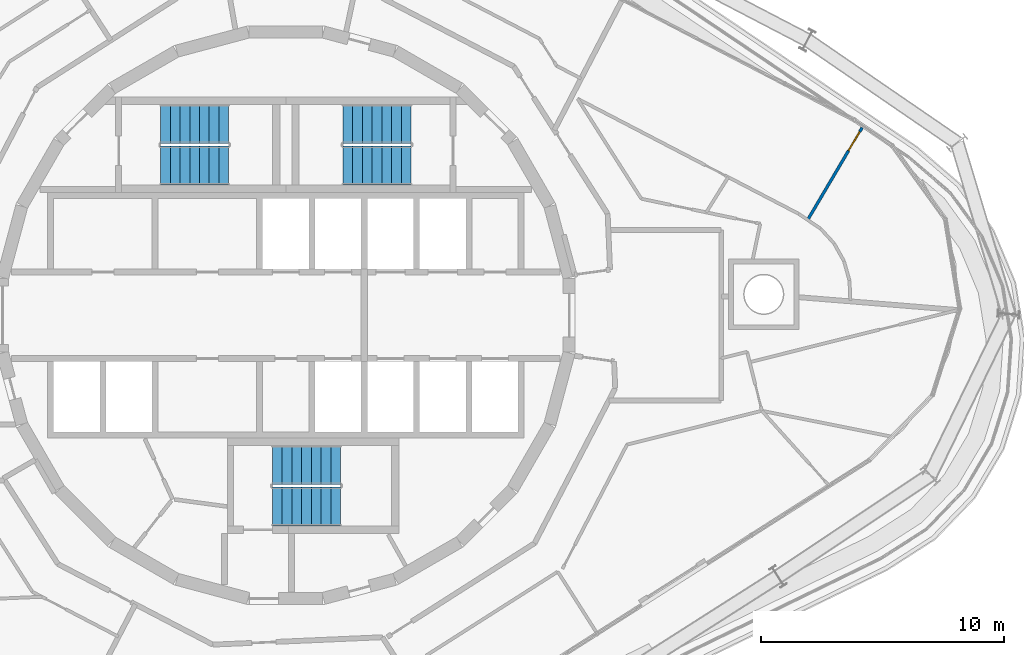
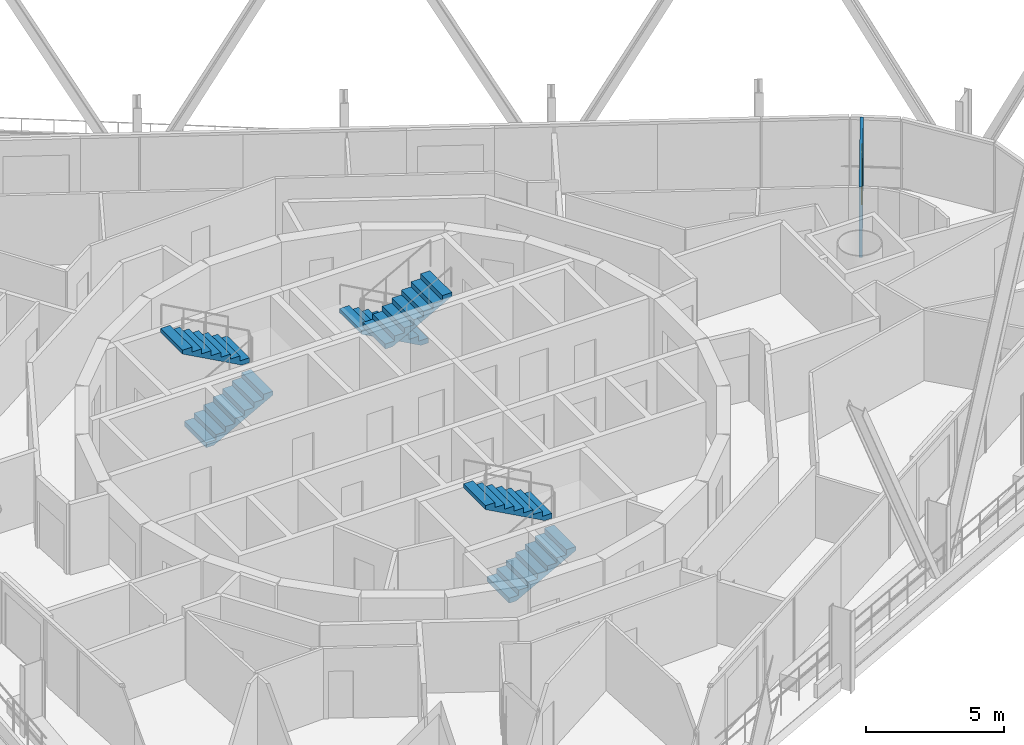
# One storey, part 17 of 20: 6 stair flights, 1 door, 1 wall, 1 opening, 3 elements without a shape of their own.
"""IFC4 building model written with IfcOpenShell, lengths in metres."""

from ifc_helpers import new_model, si_unit, direction, frame, frame_2d, origin, place, context, subcontext, project, spatial, polyline, rectangle, outline, extrude, material, layer, layer_set, type_object, element, fill, aggregate, save


model = new_model("IFC4")

# Units and contexts
model_context = context("Model", 3, precision=1e-05, world=origin(), true_north=direction((0.0, 1.0)))
body_context = subcontext(model_context, "Body", "Model", "MODEL_VIEW")
ifc_project = project(units=[si_unit("LENGTHUNIT", "METRE"), si_unit("AREAUNIT", "SQUARE_METRE"), si_unit("VOLUMEUNIT", "CUBIC_METRE"), si_unit("PLANEANGLEUNIT", "RADIAN"), si_unit("MASSUNIT", "GRAM", prefix="KILO")], contexts=[model_context])

# Site, building, storey
site_placement = place(None, origin())
site = spatial("IfcSite", under=ifc_project, at=site_placement, CompositionType="ELEMENT")
building_placement = place(site_placement, origin())
building = spatial("IfcBuilding", under=site, at=building_placement, Name="Spindle Arch Residences", CompositionType="ELEMENT")
storey_placement = place(building_placement, frame((0.0, 0.0, 226.699951171875)))
storey = spatial("IfcBuildingStorey", under=building, at=storey_placement, Name="L57", CompositionType="ELEMENT", Elevation=226.699951171875)

# Wall, opening, door
ifc_material_1 = material(Name="Plasterboard on steel studs", Category="steel")
ifc_layer = layer(ifc_material_1, 0.1201171875)
ifc_layer_set = layer_set([ifc_layer], Name="Flat partition 120")
wall_type = type_object("IfcWallType", Name="Flat partition 120", PredefinedType="PARTITIONING", material=ifc_layer_set)
wall_placement = place(storey_placement, frame((23.6962890625, 7.715087890625, 0.0), z_axis=(0.0, 0.0, 1.0), x_axis=(-0.508219920645, -0.861227329025, 0.0)))
wall = element("IfcWall", 1, at=wall_placement, inside=storey, type_object=wall_type, Name="Flat partition R6A0-W049", PredefinedType="PARTITIONING", context=body_context, shape_type="SweptSolid", body=[
    extrude(rectangle(XDim=4.408935546875, YDim=0.1201171875, at=frame_2d((2.20458984375, 0.0))), origin(), (0.0, 0.0, 1.0), 3.1201171875),
])
opening_placement = place(wall_placement, frame((0.199951171875, 0.0, 0.0)))
opening = element("IfcOpeningElement", 2, at=opening_placement, cuts=wall, Name="Opening R6A0-ID03", PredefinedType="OPENING", context=body_context, shape_type="SweptSolid", body=[
    extrude(rectangle(XDim=0.89990234375, YDim=2.10009765625, at=frame_2d((0.449951171875, 1.050048828125))), frame((0.0, 0.070068359375, 0.0), z_axis=(0.0, -1.0, 0.0), x_axis=(1.0, 0.0, 0.0)), (0.0, 0.0, 1.0), 0.14013671875),
])
ifc_material_2 = material(Name="Timber door set", Category="wood")
door_type = type_object("IfcDoorType", Name="Room door 900x2100", OperationType="NOTDEFINED", PredefinedType="DOOR", material=ifc_material_2)
door_placement = place(opening_placement, origin())
door = element("IfcDoor", 3, at=door_placement, inside=storey, type_object=door_type, Name="Room door R6A0-ID03", OperationType="SINGLE_SWING_LEFT", OverallHeight=2.10009765625, OverallWidth=0.89990234375, PredefinedType="DOOR", context=body_context, shape_type="SweptSolid", body=[
    extrude(rectangle(XDim=0.89990234375, YDim=2.10009765625, at=frame_2d((0.449951171875, 1.050048828125))), frame((0.0, 0.02490234375, 0.0), z_axis=(0.0, -1.0, 0.0), x_axis=(1.0, 0.0, 0.0)), (0.0, 0.0, 1.0), 0.050048828125),
])
fill(opening, door)

# Stair, stair flights
ifc_material_3 = material(Name="Concrete C50/60", Category="concrete")
stair_type = type_object("IfcStairType", Name="Exit stair 16 risers", PredefinedType="HALF_TURN_STAIR", material=ifc_material_3)
stair_1_placement = place(storey_placement, origin())
stair_1 = element("IfcStair", 4, at=stair_1_placement, inside=storey, type_object=stair_type, Name="L57 Exit stair ST1", PredefinedType="HALF_TURN_STAIR")
ifc_material_4 = material(Name="Concrete C50/60", Category="concrete")
stair_flight_type = type_object("IfcStairFlightType", Name="Exit stair flight", PredefinedType="STRAIGHT", material=ifc_material_4)
stair_flight_1_placement = place(storey_placement, frame((5.14990234375, 7.8701171875, 0.0), z_axis=(0.0, 0.0, 1.0), x_axis=(-1.0, 0.0, 0.0)))
stair_flight_1 = element("IfcStairFlight", 5, at=stair_flight_1_placement, type_object=stair_flight_type, Name="ST1 flight 1", NumberOfRisers=8, NumberOfTreads=7, PredefinedType="STRAIGHT", RiserHeight=0.21875, TreadLength=0.4, context=body_context, shape_type="SweptSolid", body=[
    extrude(outline(polyline([(0.0, 0.0), (0.0, 0.21875), (0.39990234375, 0.21875), (0.39990234375, 0.4375), (0.800048828125, 0.4375), (0.800048828125, 0.65625), (1.199951171875, 0.65625), (1.199951171875, 0.875), (1.60009765625, 0.875), (1.60009765625, 1.09375), (2.0, 1.09375), (2.0, 1.3125), (2.39990234375, 1.3125), (2.39990234375, 1.53125), (2.800048828125, 1.53125), (2.800048828125, 1.75), (2.800048828125, 1.3603515625), (0.3125, 0.0), (0.0, 0.0)])), frame((0.0, 0.800048828125, 0.0), z_axis=(0.0, -1.0, 0.0), x_axis=(1.0, 0.0, 0.0)), (0.0, 0.0, 1.0), 1.60009765625),
])
stair_flight_2_placement = place(storey_placement, frame((2.35009765625, 6.14990234375, 1.75), z_axis=(0.0, 0.0, 1.0), x_axis=(1.0, 0.0, 0.0)))
stair_flight_2 = element("IfcStairFlight", 6, at=stair_flight_2_placement, type_object=stair_flight_type, Name="ST1 flight 2", NumberOfRisers=8, NumberOfTreads=7, PredefinedType="STRAIGHT", RiserHeight=0.21875, TreadLength=0.4, context=body_context, shape_type="SweptSolid", body=[
    extrude(outline(polyline([(0.0, 0.0), (0.0, 0.21875), (0.39990234375, 0.21875), (0.39990234375, 0.4375), (0.800048828125, 0.4375), (0.800048828125, 0.65625), (1.199951171875, 0.65625), (1.199951171875, 0.875), (1.60009765625, 0.875), (1.60009765625, 1.09375), (2.0, 1.09375), (2.0, 1.3125), (2.39990234375, 1.3125), (2.39990234375, 1.53125), (2.800048828125, 1.53125), (2.800048828125, 1.75), (2.800048828125, 1.3603515625), (0.3125, 0.0), (0.0, 0.0)])), frame((0.0, 0.800048828125, 0.0), z_axis=(0.0, -1.0, 0.0), x_axis=(1.0, 0.0, 0.0)), (0.0, 0.0, 1.0), 1.60009765625),
])
aggregate(stair_1, [stair_flight_1, stair_flight_2])

stair_2_placement = place(storey_placement, origin())
stair_2 = element("IfcStair", 7, at=stair_2_placement, inside=storey, type_object=stair_type, Name="L57 Exit stair ST2", PredefinedType="HALF_TURN_STAIR")
stair_flight_3_placement = place(storey_placement, frame((-5.14990234375, 6.14990234375, 0.0), z_axis=(0.0, 0.0, 1.0), x_axis=(1.0, 0.0, 0.0)))
stair_flight_3 = element("IfcStairFlight", 8, at=stair_flight_3_placement, type_object=stair_flight_type, Name="ST2 flight 1", NumberOfRisers=8, NumberOfTreads=7, PredefinedType="STRAIGHT", RiserHeight=0.21875, TreadLength=0.4, context=body_context, shape_type="SweptSolid", body=[
    extrude(outline(polyline([(0.0, 0.0), (0.0, 0.21875), (0.39990234375, 0.21875), (0.39990234375, 0.4375), (0.800048828125, 0.4375), (0.800048828125, 0.65625), (1.199951171875, 0.65625), (1.199951171875, 0.875), (1.60009765625, 0.875), (1.60009765625, 1.09375), (2.0, 1.09375), (2.0, 1.3125), (2.39990234375, 1.3125), (2.39990234375, 1.53125), (2.800048828125, 1.53125), (2.800048828125, 1.75), (2.800048828125, 1.3603515625), (0.3125, 0.0), (0.0, 0.0)])), frame((0.0, 0.800048828125, 0.0), z_axis=(0.0, -1.0, 0.0), x_axis=(1.0, 0.0, 0.0)), (0.0, 0.0, 1.0), 1.60009765625),
])
stair_flight_4_placement = place(storey_placement, frame((-2.35009765625, 7.8701171875, 1.75), z_axis=(0.0, 0.0, 1.0), x_axis=(-1.0, 0.0, 0.0)))
stair_flight_4 = element("IfcStairFlight", 9, at=stair_flight_4_placement, type_object=stair_flight_type, Name="ST2 flight 2", NumberOfRisers=8, NumberOfTreads=7, PredefinedType="STRAIGHT", RiserHeight=0.21875, TreadLength=0.4, context=body_context, shape_type="SweptSolid", body=[
    extrude(outline(polyline([(0.0, 0.0), (0.0, 0.21875), (0.39990234375, 0.21875), (0.39990234375, 0.4375), (0.800048828125, 0.4375), (0.800048828125, 0.65625), (1.199951171875, 0.65625), (1.199951171875, 0.875), (1.60009765625, 0.875), (1.60009765625, 1.09375), (2.0, 1.09375), (2.0, 1.3125), (2.39990234375, 1.3125), (2.39990234375, 1.53125), (2.800048828125, 1.53125), (2.800048828125, 1.75), (2.800048828125, 1.3603515625), (0.3125, 0.0), (0.0, 0.0)])), frame((0.0, 0.800048828125, 0.0), z_axis=(0.0, -1.0, 0.0), x_axis=(1.0, 0.0, 0.0)), (0.0, 0.0, 1.0), 1.60009765625),
])
aggregate(stair_2, [stair_flight_3, stair_flight_4])

stair_3_placement = place(storey_placement, origin())
stair_3 = element("IfcStair", 10, at=stair_3_placement, inside=storey, type_object=stair_type, Name="L57 Exit stair ST3", PredefinedType="HALF_TURN_STAIR")
stair_flight_5_placement = place(storey_placement, frame((-0.550048828125, -7.8701171875, 0.0), z_axis=(0.0, 0.0, 1.0), x_axis=(1.0, 0.0, 0.0)))
stair_flight_5 = element("IfcStairFlight", 11, at=stair_flight_5_placement, type_object=stair_flight_type, Name="ST3 flight 1", NumberOfRisers=8, NumberOfTreads=7, PredefinedType="STRAIGHT", RiserHeight=0.21875, TreadLength=0.4, context=body_context, shape_type="SweptSolid", body=[
    extrude(outline(polyline([(0.0, 0.0), (0.0, 0.21875), (0.39990234375, 0.21875), (0.39990234375, 0.4375), (0.800048828125, 0.4375), (0.800048828125, 0.65625), (1.199951171875, 0.65625), (1.199951171875, 0.875), (1.60009765625, 0.875), (1.60009765625, 1.09375), (2.0, 1.09375), (2.0, 1.3125), (2.39990234375, 1.3125), (2.39990234375, 1.53125), (2.800048828125, 1.53125), (2.800048828125, 1.75), (2.800048828125, 1.3603515625), (0.3125, 0.0), (0.0, 0.0)])), frame((0.0, 0.800048828125, 0.0), z_axis=(0.0, -1.0, 0.0), x_axis=(1.0, 0.0, 0.0)), (0.0, 0.0, 1.0), 1.60009765625),
])
stair_flight_6_placement = place(storey_placement, frame((2.25, -6.14990234375, 1.75), z_axis=(0.0, 0.0, 1.0), x_axis=(-1.0, 0.0, 0.0)))
stair_flight_6 = element("IfcStairFlight", 12, at=stair_flight_6_placement, type_object=stair_flight_type, Name="ST3 flight 2", NumberOfRisers=8, NumberOfTreads=7, PredefinedType="STRAIGHT", RiserHeight=0.21875, TreadLength=0.4, context=body_context, shape_type="SweptSolid", body=[
    extrude(outline(polyline([(0.0, 0.0), (0.0, 0.21875), (0.39990234375, 0.21875), (0.39990234375, 0.4375), (0.800048828125, 0.4375), (0.800048828125, 0.65625), (1.199951171875, 0.65625), (1.199951171875, 0.875), (1.60009765625, 0.875), (1.60009765625, 1.09375), (2.0, 1.09375), (2.0, 1.3125), (2.39990234375, 1.3125), (2.39990234375, 1.53125), (2.800048828125, 1.53125), (2.800048828125, 1.75), (2.800048828125, 1.3603515625), (0.3125, 0.0), (0.0, 0.0)])), frame((0.0, 0.800048828125, 0.0), z_axis=(0.0, -1.0, 0.0), x_axis=(1.0, 0.0, 0.0)), (0.0, 0.0, 1.0), 1.60009765625),
])
aggregate(stair_3, [stair_flight_5, stair_flight_6])

save(model, "model.ifc")
